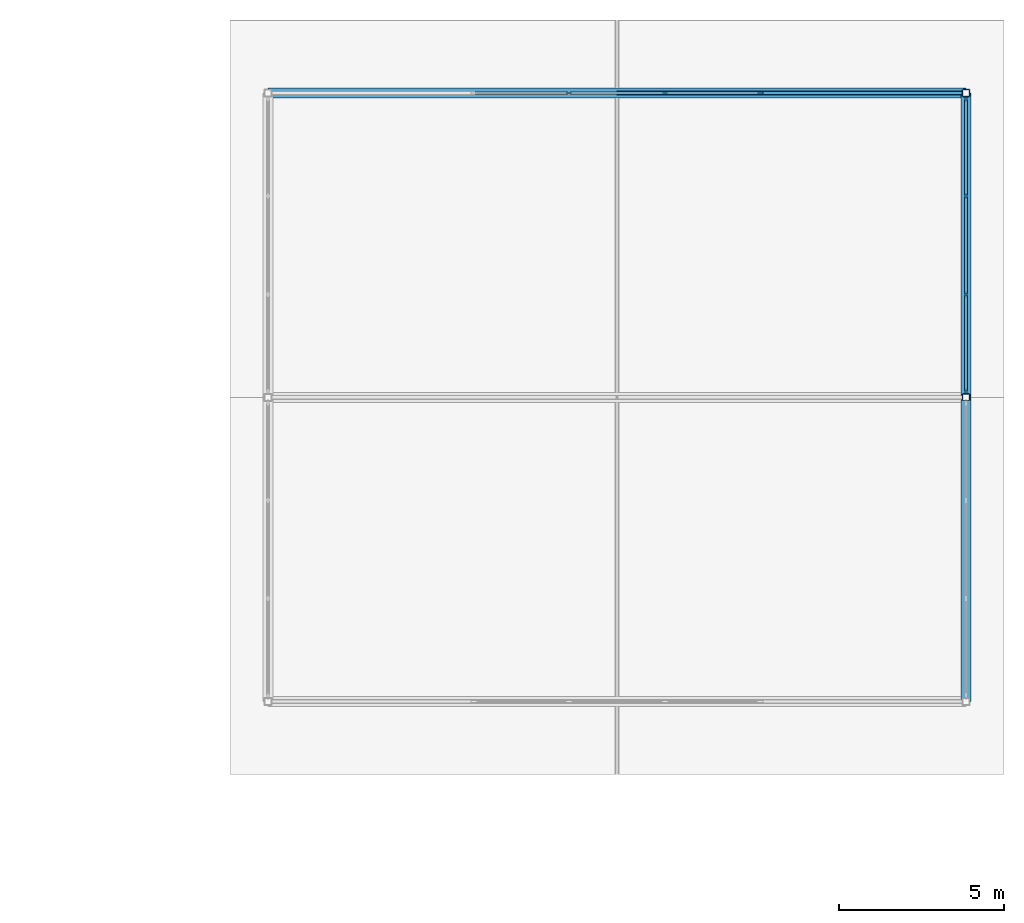
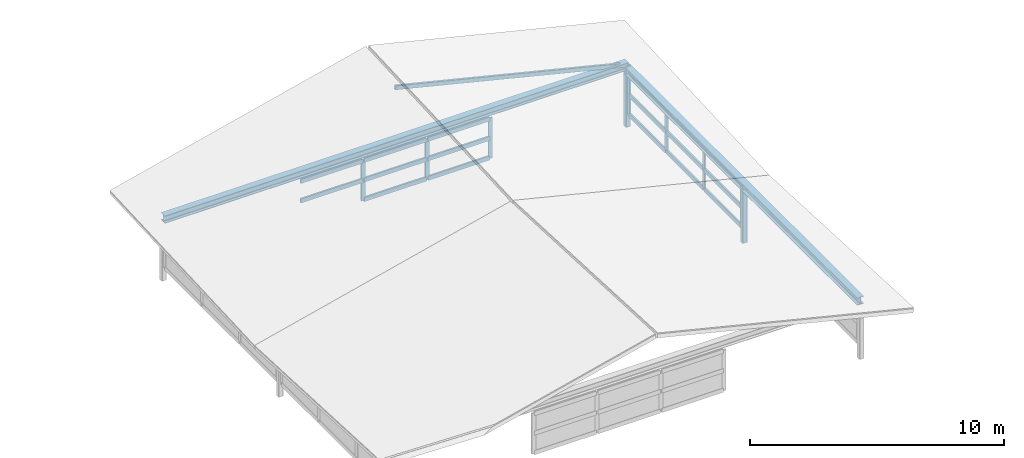
# One storey, part 28 of 42: 27 members, 2 beams, 2 elements without a shape of their own.
"""IFC4 building model written with IfcOpenShell, lengths in metres."""

from ifc_helpers import new_model, si_unit, direction, frame, origin, origin_2d, place, context, subcontext, project, spatial, rectangle, hollow_rectangle, i_section, extrude, material, material_profile, profile_set, type_object, element, aggregate, save


model = new_model("IFC4")

# Units and contexts
model_context = context("Model", 3, precision=1e-05, world=origin(), true_north=direction((0.0, 1.0)))
body_context = subcontext(model_context, "Body", "Model", "MODEL_VIEW")
ifc_project = project(units=[si_unit("LENGTHUNIT", "METRE"), si_unit("AREAUNIT", "SQUARE_METRE"), si_unit("VOLUMEUNIT", "CUBIC_METRE"), si_unit("PLANEANGLEUNIT", "RADIAN"), si_unit("MASSUNIT", "GRAM", prefix="KILO")], contexts=[model_context])

# Site, building, storey
site_placement = place(None, origin())
site = spatial("IfcSite", under=ifc_project, at=site_placement, CompositionType="ELEMENT")
building_placement = place(site_placement, origin())
building = spatial("IfcBuilding", under=site, at=building_placement, Name="Bozkorgan Art Gallery", CompositionType="ELEMENT")
storey_placement = place(building_placement, frame((0.0, 0.0, 28.800048828125)))
storey = spatial("IfcBuildingStorey", under=building, at=storey_placement, Name="RF", CompositionType="ELEMENT", Elevation=28.800048828125)

# Beams
ifc_material_1 = material(Name="Steel S355J2", Category="steel")
ifc_material_profile_1 = material_profile(ifc_material_1, i_section(OverallWidth=0.300048828125, OverallDepth=0.360107421875, WebThickness=0.012451171875, FlangeThickness=0.0224609375, FilletRadius=0.027099609375, at=origin_2d()), Name="HEB 360")
ifc_profile_set_1 = profile_set([ifc_material_profile_1], Name="Steel S355J2")
beam_type_1 = type_object("IfcBeamType", Name="BEAM-TB-47", PredefinedType="BEAM", material=ifc_profile_set_1)
beam_1_placement = place(storey_placement, frame((76.949951171875, 75.199951171875, 1.6484375), z_axis=(1.0, 0.0, 0.0), x_axis=(0.0, 1.0, 0.0)))
element("IfcBeam", 1, at=beam_1_placement, inside=storey, type_object=beam_type_1, Name="V4 stacked upper roof truss 3", PredefinedType="BEAM", context=body_context, shape_type="SweptSolid", body=[
    extrude(i_section(OverallWidth=0.300048828125, OverallDepth=0.360107421875, WebThickness=0.012451171875, FlangeThickness=0.0224609375, FilletRadius=0.027099609375, at=origin_2d()), origin(), (0.0, 0.0, 1.0), 21.10009765625),
])
ifc_material_profile_2 = material_profile(ifc_material_1, i_section(OverallWidth=0.300048828125, OverallDepth=0.360107421875, WebThickness=0.012451171875, FlangeThickness=0.0224609375, FilletRadius=0.027099609375, at=origin_2d()), Name="HEB 360")
ifc_profile_set_2 = profile_set([ifc_material_profile_2], Name="Steel S355J2")
beam_type_2 = type_object("IfcBeamType", Name="BEAM-TO-26", PredefinedType="BEAM", material=ifc_profile_set_2)
beam_2_placement = place(storey_placement, frame((98.050048828125, 56.800048828125, 1.436767578125), z_axis=(0.0, 1.0, 0.0), x_axis=(-1.0, 0.0, 0.0)))
element("IfcBeam", 2, at=beam_2_placement, inside=storey, type_object=beam_type_2, Name="V4 stacked roof longitudinal tie 2", PredefinedType="BEAM", context=body_context, shape_type="SweptSolid", body=[
    extrude(i_section(OverallWidth=0.300048828125, OverallDepth=0.360107421875, WebThickness=0.012451171875, FlangeThickness=0.0224609375, FilletRadius=0.027099609375, at=origin_2d()), origin(), (0.0, 0.0, 1.0), 18.39990234375),
])

# Curtain wall, members
ifc_material_2 = material(Name="Anodised Bronze Aluminium", Category="aluminium")
curtain_wall_type_1 = type_object("IfcCurtainWallType", Name="CW-CW-50", PredefinedType="NOTDEFINED", material=ifc_material_2)
curtain_wall_1_placement = place(storey_placement, origin())
curtain_wall_1 = element("IfcCurtainWall", 3, at=curtain_wall_1_placement, inside=storey, type_object=curtain_wall_type_1, Name="RF unitised curtain wall CW-MON-ROOF-V4-MAIN-N-83", PredefinedType="NOTDEFINED")
ifc_material_profile_3 = material_profile(ifc_material_2, rectangle(XDim=0.06494140625, YDim=0.179931640625, at=origin_2d()), Name="ALU MULLION 65x180")
ifc_profile_set_3 = profile_set([ifc_material_profile_3], Name="Anodised Bronze Aluminium")
member_type_1 = type_object("IfcMemberType", Name="CWM-01", PredefinedType="MULLION", material=ifc_profile_set_3)
member_1_placement = place(storey_placement, frame((86.046630859375, 75.199951171875, -0.684814453125), z_axis=(0.0, 0.0, 1.0), x_axis=(0.0, 1.0, 0.0)))
member_1 = element("IfcMember", 4, at=member_1_placement, type_object=member_type_1, Name="CW-50 mullion 2", PredefinedType="MULLION", context=body_context, shape_type="SweptSolid", body=[
    extrude(rectangle(XDim=0.06494140625, YDim=0.179931640625, at=origin_2d()), origin(), (0.0, 0.0, 1.0), 1.95654296875),
])
member_2_placement = place(storey_placement, frame((88.953369140625, 75.199951171875, -0.684814453125), z_axis=(0.0, 0.0, 1.0), x_axis=(0.0, 1.0, 0.0)))
member_2 = element("IfcMember", 5, at=member_2_placement, type_object=member_type_1, Name="CW-50 mullion 3", PredefinedType="MULLION", context=body_context, shape_type="SweptSolid", body=[
    extrude(rectangle(XDim=0.06494140625, YDim=0.179931640625, at=origin_2d()), origin(), (0.0, 0.0, 1.0), 1.95654296875),
])
member_3_placement = place(storey_placement, frame((91.827392578125, 75.199951171875, -0.684814453125), z_axis=(0.0, 0.0, 1.0), x_axis=(0.0, 1.0, 0.0)))
member_3 = element("IfcMember", 6, at=member_3_placement, type_object=member_type_1, Name="CW-50 mullion 4", PredefinedType="MULLION", context=body_context, shape_type="SweptSolid", body=[
    extrude(rectangle(XDim=0.06494140625, YDim=0.179931640625, at=origin_2d()), origin(), (0.0, 0.0, 1.0), 1.95654296875),
])

curtain_wall_type_2 = type_object("IfcCurtainWallType", Name="CW-CW-64", PredefinedType="NOTDEFINED", material=ifc_material_2)
curtain_wall_2_placement = place(storey_placement, origin())
curtain_wall_2 = element("IfcCurtainWall", 7, at=curtain_wall_2_placement, inside=storey, type_object=curtain_wall_type_2, Name="RF unitised curtain wall CW-MON-ROOF-V4-MAIN-E-66", PredefinedType="NOTDEFINED")
member_4_placement = place(storey_placement, frame((98.050048828125, 66.172607421875, -0.684814453125), z_axis=(0.0, 0.0, 1.0), x_axis=(-1.0, 0.0, 0.0)))
member_4 = element("IfcMember", 8, at=member_4_placement, type_object=member_type_1, Name="CW-64 mullion 1", PredefinedType="MULLION", context=body_context, shape_type="SweptSolid", body=[
    extrude(rectangle(XDim=0.06494140625, YDim=0.179931640625, at=origin_2d()), origin(), (0.0, 0.0, 1.0), 1.95654296875),
])
member_5_placement = place(storey_placement, frame((98.050048828125, 69.11328125, -0.684814453125), z_axis=(0.0, 0.0, 1.0), x_axis=(-1.0, 0.0, 0.0)))
member_5 = element("IfcMember", 9, at=member_5_placement, type_object=member_type_1, Name="CW-64 mullion 2", PredefinedType="MULLION", context=body_context, shape_type="SweptSolid", body=[
    extrude(rectangle(XDim=0.06494140625, YDim=0.179931640625, at=origin_2d()), origin(), (0.0, 0.0, 1.0), 1.95654296875),
])
member_6_placement = place(storey_placement, frame((98.050048828125, 72.086669921875, -0.684814453125), z_axis=(0.0, 0.0, 1.0), x_axis=(-1.0, 0.0, 0.0)))
member_6 = element("IfcMember", 10, at=member_6_placement, type_object=member_type_1, Name="CW-64 mullion 3", PredefinedType="MULLION", context=body_context, shape_type="SweptSolid", body=[
    extrude(rectangle(XDim=0.06494140625, YDim=0.179931640625, at=origin_2d()), origin(), (0.0, 0.0, 1.0), 1.95654296875),
])
member_7_placement = place(storey_placement, frame((98.050048828125, 75.027587890625, -0.684814453125), z_axis=(0.0, 0.0, 1.0), x_axis=(-1.0, 0.0, 0.0)))
member_7 = element("IfcMember", 11, at=member_7_placement, type_object=member_type_1, Name="CW-64 mullion 4", PredefinedType="MULLION", context=body_context, shape_type="SweptSolid", body=[
    extrude(rectangle(XDim=0.06494140625, YDim=0.179931640625, at=origin_2d()), origin(), (0.0, 0.0, 1.0), 1.95654296875),
])

# Member
ifc_material_profile_4 = material_profile(ifc_material_2, rectangle(XDim=0.080078125, YDim=0.199951171875, at=origin_2d()), Name="ALU TRANSOM 80x200")
ifc_profile_set_4 = profile_set([ifc_material_profile_4], Name="Anodised Bronze Aluminium")
member_type_2 = type_object("IfcMemberType", Name="CWT-03", PredefinedType="USERDEFINED", material=ifc_profile_set_4)
member_8_placement = place(storey_placement, frame((83.205078125, 75.199951171875, 0.29296875), z_axis=(1.0, 0.0, 0.0), x_axis=(0.0, 1.0, 0.0)))
member_8 = element("IfcMember", 12, at=member_8_placement, type_object=member_type_2, Name="CW-50 transom 1.2", ObjectType="TRANSOM", PredefinedType="USERDEFINED", context=body_context, shape_type="SweptSolid", body=[
    extrude(rectangle(XDim=0.080078125, YDim=0.199951171875, at=origin_2d()), origin(), (0.0, 0.0, 1.0), 2.80908203125),
])

member_9_placement = place(storey_placement, frame((83.205078125, 75.199951171875, 1.231689453125), z_axis=(1.0, 0.0, 0.0), x_axis=(0.0, 1.0, 0.0)))
member_9 = element("IfcMember", 13, at=member_9_placement, type_object=member_type_2, Name="CW-50 transom 1.3", ObjectType="TRANSOM", PredefinedType="USERDEFINED", context=body_context, shape_type="SweptSolid", body=[
    extrude(rectangle(XDim=0.080078125, YDim=0.199951171875, at=origin_2d()), origin(), (0.0, 0.0, 1.0), 2.80908203125),
])

member_10_placement = place(storey_placement, frame((86.0791015625, 75.199951171875, -0.644775390625), z_axis=(1.0, 0.0, 0.0), x_axis=(0.0, 1.0, 0.0)))
member_10 = element("IfcMember", 14, at=member_10_placement, type_object=member_type_2, Name="CW-50 transom 2.1", ObjectType="TRANSOM", PredefinedType="USERDEFINED", context=body_context, shape_type="SweptSolid", body=[
    extrude(rectangle(XDim=0.080078125, YDim=0.199951171875, at=origin_2d()), origin(), (0.0, 0.0, 1.0), 2.841796875),
])

member_11_placement = place(storey_placement, frame((86.0791015625, 75.199951171875, 0.29296875), z_axis=(1.0, 0.0, 0.0), x_axis=(0.0, 1.0, 0.0)))
member_11 = element("IfcMember", 15, at=member_11_placement, type_object=member_type_2, Name="CW-50 transom 2.2", ObjectType="TRANSOM", PredefinedType="USERDEFINED", context=body_context, shape_type="SweptSolid", body=[
    extrude(rectangle(XDim=0.080078125, YDim=0.199951171875, at=origin_2d()), origin(), (0.0, 0.0, 1.0), 2.841796875),
])

member_12_placement = place(storey_placement, frame((86.0791015625, 75.199951171875, 1.231689453125), z_axis=(1.0, 0.0, 0.0), x_axis=(0.0, 1.0, 0.0)))
member_12 = element("IfcMember", 16, at=member_12_placement, type_object=member_type_2, Name="CW-50 transom 2.3", ObjectType="TRANSOM", PredefinedType="USERDEFINED", context=body_context, shape_type="SweptSolid", body=[
    extrude(rectangle(XDim=0.080078125, YDim=0.199951171875, at=origin_2d()), origin(), (0.0, 0.0, 1.0), 2.841796875),
])

member_13_placement = place(storey_placement, frame((88.98583984375, 75.199951171875, -0.644775390625), z_axis=(1.0, 0.0, 0.0), x_axis=(0.0, 1.0, 0.0)))
member_13 = element("IfcMember", 17, at=member_13_placement, type_object=member_type_2, Name="CW-50 transom 3.1", ObjectType="TRANSOM", PredefinedType="USERDEFINED", context=body_context, shape_type="SweptSolid", body=[
    extrude(rectangle(XDim=0.080078125, YDim=0.199951171875, at=origin_2d()), origin(), (0.0, 0.0, 1.0), 2.80908203125),
])

member_14_placement = place(storey_placement, frame((88.98583984375, 75.199951171875, 0.29296875), z_axis=(1.0, 0.0, 0.0), x_axis=(0.0, 1.0, 0.0)))
member_14 = element("IfcMember", 18, at=member_14_placement, type_object=member_type_2, Name="CW-50 transom 3.2", ObjectType="TRANSOM", PredefinedType="USERDEFINED", context=body_context, shape_type="SweptSolid", body=[
    extrude(rectangle(XDim=0.080078125, YDim=0.199951171875, at=origin_2d()), origin(), (0.0, 0.0, 1.0), 2.80908203125),
])

member_15_placement = place(storey_placement, frame((88.98583984375, 75.199951171875, 1.231689453125), z_axis=(1.0, 0.0, 0.0), x_axis=(0.0, 1.0, 0.0)))
member_15 = element("IfcMember", 19, at=member_15_placement, type_object=member_type_2, Name="CW-50 transom 3.3", ObjectType="TRANSOM", PredefinedType="USERDEFINED", context=body_context, shape_type="SweptSolid", body=[
    extrude(rectangle(XDim=0.080078125, YDim=0.199951171875, at=origin_2d()), origin(), (0.0, 0.0, 1.0), 2.80908203125),
])

aggregate(curtain_wall_1, [member_1, member_2, member_3, member_8, member_9, member_10, member_11, member_12, member_13, member_14, member_15])

member_16_placement = place(storey_placement, frame((98.050048828125, 66.205078125, -0.644775390625), z_axis=(0.0, 1.0, 0.0), x_axis=(-1.0, 0.0, 0.0)))
member_16 = element("IfcMember", 20, at=member_16_placement, type_object=member_type_2, Name="CW-64 transom 1.1", ObjectType="TRANSOM", PredefinedType="USERDEFINED", context=body_context, shape_type="SweptSolid", body=[
    extrude(rectangle(XDim=0.080078125, YDim=0.199951171875, at=origin_2d()), origin(), (0.0, 0.0, 1.0), 2.875732421875),
])

member_17_placement = place(storey_placement, frame((98.050048828125, 66.205078125, 0.29296875), z_axis=(0.0, 1.0, 0.0), x_axis=(-1.0, 0.0, 0.0)))
member_17 = element("IfcMember", 21, at=member_17_placement, type_object=member_type_2, Name="CW-64 transom 1.2", ObjectType="TRANSOM", PredefinedType="USERDEFINED", context=body_context, shape_type="SweptSolid", body=[
    extrude(rectangle(XDim=0.080078125, YDim=0.199951171875, at=origin_2d()), origin(), (0.0, 0.0, 1.0), 2.875732421875),
])

member_18_placement = place(storey_placement, frame((98.050048828125, 66.205078125, 1.231689453125), z_axis=(0.0, 1.0, 0.0), x_axis=(-1.0, 0.0, 0.0)))
member_18 = element("IfcMember", 22, at=member_18_placement, type_object=member_type_2, Name="CW-64 transom 1.3", ObjectType="TRANSOM", PredefinedType="USERDEFINED", context=body_context, shape_type="SweptSolid", body=[
    extrude(rectangle(XDim=0.080078125, YDim=0.199951171875, at=origin_2d()), origin(), (0.0, 0.0, 1.0), 2.875732421875),
])

member_19_placement = place(storey_placement, frame((98.050048828125, 69.145751953125, -0.644775390625), z_axis=(0.0, 1.0, 0.0), x_axis=(-1.0, 0.0, 0.0)))
member_19 = element("IfcMember", 23, at=member_19_placement, type_object=member_type_2, Name="CW-64 transom 2.1", ObjectType="TRANSOM", PredefinedType="USERDEFINED", context=body_context, shape_type="SweptSolid", body=[
    extrude(rectangle(XDim=0.080078125, YDim=0.199951171875, at=origin_2d()), origin(), (0.0, 0.0, 1.0), 2.908447265625),
])

member_20_placement = place(storey_placement, frame((98.050048828125, 69.145751953125, 0.29296875), z_axis=(0.0, 1.0, 0.0), x_axis=(-1.0, 0.0, 0.0)))
member_20 = element("IfcMember", 24, at=member_20_placement, type_object=member_type_2, Name="CW-64 transom 2.2", ObjectType="TRANSOM", PredefinedType="USERDEFINED", context=body_context, shape_type="SweptSolid", body=[
    extrude(rectangle(XDim=0.080078125, YDim=0.199951171875, at=origin_2d()), origin(), (0.0, 0.0, 1.0), 2.908447265625),
])

member_21_placement = place(storey_placement, frame((98.050048828125, 69.145751953125, 1.231689453125), z_axis=(0.0, 1.0, 0.0), x_axis=(-1.0, 0.0, 0.0)))
member_21 = element("IfcMember", 25, at=member_21_placement, type_object=member_type_2, Name="CW-64 transom 2.3", ObjectType="TRANSOM", PredefinedType="USERDEFINED", context=body_context, shape_type="SweptSolid", body=[
    extrude(rectangle(XDim=0.080078125, YDim=0.199951171875, at=origin_2d()), origin(), (0.0, 0.0, 1.0), 2.908447265625),
])

member_22_placement = place(storey_placement, frame((98.050048828125, 72.119140625, -0.644775390625), z_axis=(0.0, 1.0, 0.0), x_axis=(-1.0, 0.0, 0.0)))
member_22 = element("IfcMember", 26, at=member_22_placement, type_object=member_type_2, Name="CW-64 transom 3.1", ObjectType="TRANSOM", PredefinedType="USERDEFINED", context=body_context, shape_type="SweptSolid", body=[
    extrude(rectangle(XDim=0.080078125, YDim=0.199951171875, at=origin_2d()), origin(), (0.0, 0.0, 1.0), 2.8759765625),
])

member_23_placement = place(storey_placement, frame((98.050048828125, 72.119140625, 0.29296875), z_axis=(0.0, 1.0, 0.0), x_axis=(-1.0, 0.0, 0.0)))
member_23 = element("IfcMember", 27, at=member_23_placement, type_object=member_type_2, Name="CW-64 transom 3.2", ObjectType="TRANSOM", PredefinedType="USERDEFINED", context=body_context, shape_type="SweptSolid", body=[
    extrude(rectangle(XDim=0.080078125, YDim=0.199951171875, at=origin_2d()), origin(), (0.0, 0.0, 1.0), 2.8759765625),
])

member_24_placement = place(storey_placement, frame((98.050048828125, 72.119140625, 1.231689453125), z_axis=(0.0, 1.0, 0.0), x_axis=(-1.0, 0.0, 0.0)))
member_24 = element("IfcMember", 28, at=member_24_placement, type_object=member_type_2, Name="CW-64 transom 3.3", ObjectType="TRANSOM", PredefinedType="USERDEFINED", context=body_context, shape_type="SweptSolid", body=[
    extrude(rectangle(XDim=0.080078125, YDim=0.199951171875, at=origin_2d()), origin(), (0.0, 0.0, 1.0), 2.8759765625),
])

aggregate(curtain_wall_2, [member_4, member_5, member_6, member_7, member_16, member_17, member_18, member_19, member_20, member_21, member_22, member_23, member_24])

# Members
ifc_material_profile_5 = material_profile(ifc_material_1, hollow_rectangle(XDim=0.219970703125, YDim=0.219970703125, WallThickness=0.012451171875, InnerFilletRadius=0.018798828125, OuterFilletRadius=0.03125, at=origin_2d()), Name="SHS 220x220x12.5")
ifc_profile_set_5 = profile_set([ifc_material_profile_5], Name="Steel S355J2")
member_type_3 = type_object("IfcMemberType", Name="MEMBER-CP-34", PredefinedType="POST", material=ifc_profile_set_5)
member_25_placement = place(storey_placement, frame((98.050048828125, 66.0, -1.299072265625), z_axis=(0.0, 0.0, 1.0), x_axis=(1.0, 0.0, 0.0)))
element("IfcMember", 29, at=member_25_placement, inside=storey, type_object=member_type_3, Name="V4 upper clerestory truss post 2E", PredefinedType="POST", context=body_context, shape_type="SweptSolid", body=[
    extrude(hollow_rectangle(XDim=0.219970703125, YDim=0.219970703125, WallThickness=0.012451171875, InnerFilletRadius=0.018798828125, OuterFilletRadius=0.03125, at=origin_2d()), origin(), (0.0, 0.0, 1.0), 2.73583984375),
])
member_26_placement = place(storey_placement, frame((98.050048828125, 75.199951171875, -1.299072265625), z_axis=(0.0, 0.0, 1.0), x_axis=(1.0, 0.0, 0.0)))
element("IfcMember", 30, at=member_26_placement, inside=storey, type_object=member_type_3, Name="V4 upper clerestory truss post 3E", PredefinedType="POST", context=body_context, shape_type="SweptSolid", body=[
    extrude(hollow_rectangle(XDim=0.219970703125, YDim=0.219970703125, WallThickness=0.012451171875, InnerFilletRadius=0.018798828125, OuterFilletRadius=0.03125, at=origin_2d()), origin(), (0.0, 0.0, 1.0), 2.947509765625),
])
ifc_material_profile_6 = material_profile(ifc_material_1, hollow_rectangle(XDim=0.1201171875, YDim=0.199951171875, WallThickness=0.008056640625, InnerFilletRadius=0.011962890625, OuterFilletRadius=0.02001953125, at=origin_2d()), Name="RHS 200x120x8")
ifc_profile_set_6 = profile_set([ifc_material_profile_6], Name="Steel S355J2")
member_type_4 = type_object("IfcMemberType", Name="MEMBER-TC-48", PredefinedType="CHORD", material=ifc_profile_set_6)
member_27_placement = place(storey_placement, frame((87.5, 75.199951171875, 4.23974609375), z_axis=(0.971134961, 0.0, -0.238530684656), x_axis=(0.0, 1.0, 0.0)))
element("IfcMember", 31, at=member_27_placement, inside=storey, type_object=member_type_4, Name="V4 stacked upper east chord 3", PredefinedType="CHORD", context=body_context, shape_type="SweptSolid", body=[
    extrude(hollow_rectangle(XDim=0.1201171875, YDim=0.199951171875, WallThickness=0.008056640625, InnerFilletRadius=0.011962890625, OuterFilletRadius=0.02001953125, at=origin_2d()), origin(), (0.0, 0.0, 1.0), 10.863525390625),
])

save(model, "model.ifc")
